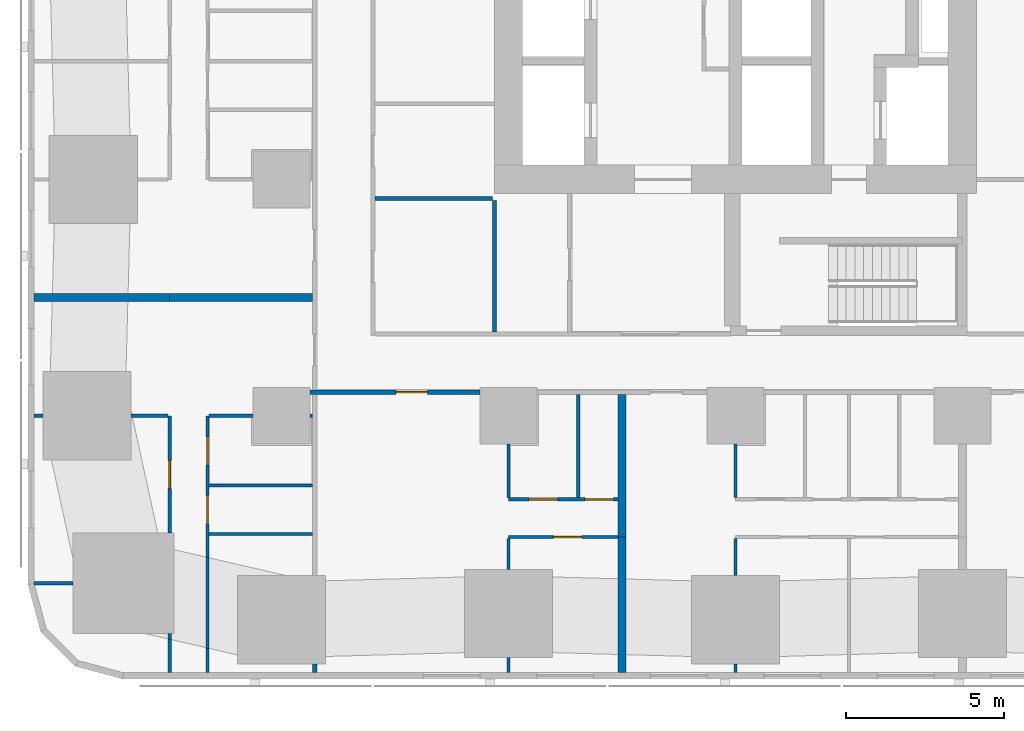
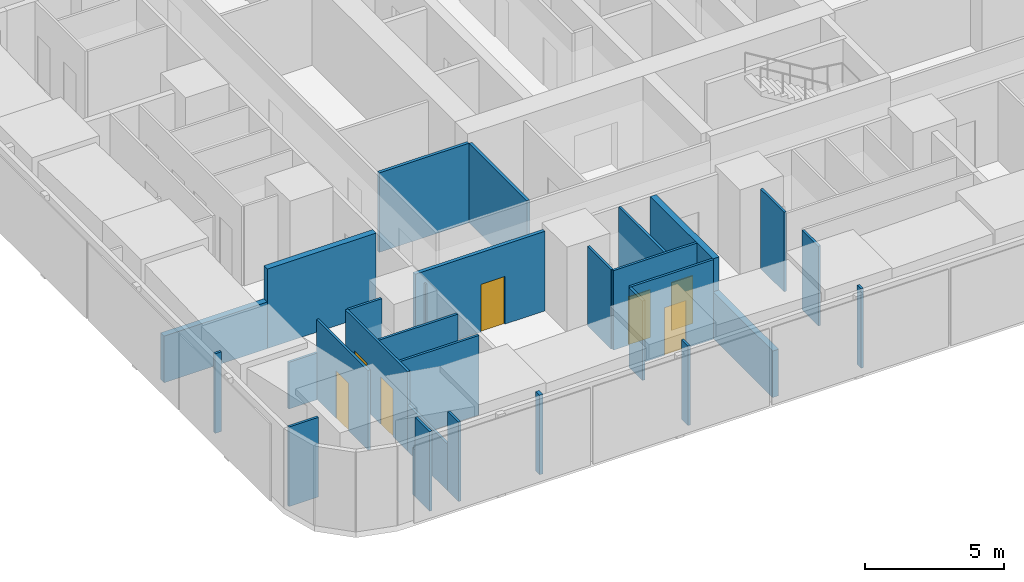
# One storey, part 2 of 16: 30 walls, 7 doors, 7 openings.
"""IFC4 building model written with IfcOpenShell, lengths in metres."""

from ifc_helpers import new_model, si_unit, direction, frame, frame_2d, origin, place, context, subcontext, project, spatial, rectangle, extrude, material, layer, layer_set, type_object, element, fill, save


model = new_model("IFC4")

# Units and contexts
model_context = context("Model", 3, precision=1e-05, world=origin(), true_north=direction((0.0, 1.0)))
body_context = subcontext(model_context, "Body", "Model", "MODEL_VIEW")
ifc_project = project(units=[si_unit("LENGTHUNIT", "METRE"), si_unit("AREAUNIT", "SQUARE_METRE"), si_unit("VOLUMEUNIT", "CUBIC_METRE"), si_unit("PLANEANGLEUNIT", "RADIAN"), si_unit("MASSUNIT", "GRAM", prefix="KILO")], contexts=[model_context])

# Site, building, storey
site_placement = place(None, origin())
site = spatial("IfcSite", under=ifc_project, at=site_placement, CompositionType="ELEMENT")
building_placement = place(site_placement, origin())
building = spatial("IfcBuilding", under=site, at=building_placement, Name="Sheger Commons Tower", CompositionType="ELEMENT")
storey_placement = place(building_placement, frame((0.0, 0.0, 57.5)))
storey = spatial("IfcBuildingStorey", under=building, at=storey_placement, Name="L14", CompositionType="ELEMENT", Elevation=57.5)

# Wall
ifc_material_1 = material(Name="Hollow concrete block masonry, skimmed both sides", Category="masonry")
ifc_layer_1 = layer(ifc_material_1, 0.14990234375)
ifc_layer_set_1 = layer_set([ifc_layer_1], Name="CORRIDOR WALL 150")
wall_type_1 = type_object("IfcWallType", Name="CORRIDOR WALL 150", PredefinedType="SOLIDWALL", material=ifc_layer_set_1)
wall_1_placement = place(storey_placement, frame((8.25, -0.64990234375, 0.0), z_axis=(0.0, 0.0, 1.0), x_axis=(0.0, 1.0, 0.0)))
element("IfcWall", 1, at=wall_1_placement, inside=storey, type_object=wall_type_1, Name="Corridor wall L14", PredefinedType="SOLIDWALL", context=body_context, shape_type="SweptSolid", body=[
    extrude(rectangle(XDim=0.27392578125, YDim=0.14990234375, at=frame_2d((0.136962890625, 0.0))), origin(), (0.0, 0.0, 1.0), 3.5),
])

# Wall, opening, door
wall_2_placement = place(storey_placement, frame((13.4990234375, 8.25, 0.0), z_axis=(0.0, 0.0, 1.0), x_axis=(-1.0, 0.0, 0.0)))
wall_2 = element("IfcWall", 2, at=wall_2_placement, inside=storey, type_object=wall_type_1, Name="Corridor wall L14", PredefinedType="SOLIDWALL", context=body_context, shape_type="SweptSolid", body=[
    extrude(rectangle(XDim=5.39892578125, YDim=0.14990234375, at=frame_2d((2.699462890625, 0.0))), origin(), (0.0, 0.0, 1.0), 3.5),
])
opening_1_placement = place(wall_2_placement, frame((1.674072265625, 0.0, 0.0)))
opening_1 = element("IfcOpeningElement", 3, at=opening_1_placement, cuts=wall_2, Name="Opening D1", PredefinedType="OPENING", context=body_context, shape_type="SweptSolid", body=[
    extrude(rectangle(XDim=1.0, YDim=2.10009765625, at=frame_2d((0.5, 1.050048828125))), frame((0.0, 0.0849609375, 0.0), z_axis=(0.0, -1.0, 0.0), x_axis=(1.0, 0.0, 0.0)), (0.0, 0.0, 1.0), 0.169921875),
])
ifc_material_2 = material(Name="Steel door set, fire rated", Category="steel")
door_type_1 = type_object("IfcDoorType", Name="FLAT ENTRANCE DOOR 1000x2100", OperationType="NOTDEFINED", PredefinedType="DOOR", material=ifc_material_2)
door_1_placement = place(opening_1_placement, origin())
door_1 = element("IfcDoor", 4, at=door_1_placement, inside=storey, type_object=door_type_1, Name="Flat entrance door", OperationType="SINGLE_SWING_RIGHT", OverallHeight=2.10009765625, OverallWidth=1.0, PredefinedType="DOOR", context=body_context, shape_type="SweptSolid", body=[
    extrude(rectangle(XDim=1.0, YDim=2.10009765625, at=frame_2d((0.5, 1.050048828125))), frame((0.0, 0.02490234375, 0.0), z_axis=(0.0, -1.0, 0.0), x_axis=(1.0, 0.0, 0.0)), (0.0, 0.0, 1.0), 0.050048828125),
])
fill(opening_1, door_1)

# Walls
ifc_material_3 = material(Name="Dense concrete block masonry, plastered both sides (separating wall between flats)", Category="masonry")
ifc_layer_2 = layer(ifc_material_3, 0.25)
ifc_layer_set_2 = layer_set([ifc_layer_2], Name="DEMISING WALL 250")
wall_type_2 = type_object("IfcWallType", Name="DEMISING WALL 250", PredefinedType="SOLIDWALL", material=ifc_layer_set_2)
wall_3_placement = place(storey_placement, frame((-0.64990234375, 11.25, 0.0), z_axis=(0.0, 0.0, 1.0), x_axis=(1.0, 0.0, 0.0)))
element("IfcWall", 5, at=wall_3_placement, inside=storey, type_object=wall_type_2, Name="Demising wall L14", PredefinedType="SOLIDWALL", context=body_context, shape_type="SweptSolid", body=[
    extrude(rectangle(XDim=4.2998046875, YDim=0.25, at=frame_2d((2.14990234375, 0.0))), origin(), (0.0, 0.0, 1.0), 2.050048828125),
])
wall_4_placement = place(storey_placement, frame((3.64990234375, 11.25, 0.0), z_axis=(0.0, 0.0, 1.0), x_axis=(1.0, 0.0, 0.0)))
element("IfcWall", 6, at=wall_4_placement, inside=storey, type_object=wall_type_2, Name="Demising wall L14", PredefinedType="SOLIDWALL", context=body_context, shape_type="SweptSolid", body=[
    extrude(rectangle(XDim=4.525146484375, YDim=0.25, at=frame_2d((2.2626953125, 0.0))), origin(), (0.0, 0.0, 1.0), 3.5),
])
wall_5_placement = place(storey_placement, frame((18.0, -0.64990234375, 0.0), z_axis=(0.0, 0.0, 1.0), x_axis=(0.0, 1.0, 0.0)))
element("IfcWall", 7, at=wall_5_placement, inside=storey, type_object=wall_type_2, Name="Demising wall L14", PredefinedType="SOLIDWALL", context=body_context, shape_type="SweptSolid", body=[
    extrude(rectangle(XDim=4.2998046875, YDim=0.25, at=frame_2d((2.14990234375, 0.0))), origin(), (0.0, 0.0, 1.0), 2.050048828125),
])
wall_6_placement = place(storey_placement, frame((18.0, 3.64990234375, 0.0), z_axis=(0.0, 0.0, 1.0), x_axis=(0.0, 1.0, 0.0)))
element("IfcWall", 8, at=wall_6_placement, inside=storey, type_object=wall_type_2, Name="Demising wall L14", PredefinedType="SOLIDWALL", context=body_context, shape_type="SweptSolid", body=[
    extrude(rectangle(XDim=4.525146484375, YDim=0.25, at=frame_2d((2.2626953125, 0.0))), origin(), (0.0, 0.0, 1.0), 3.5),
])
ifc_material_4 = material(Name="Gypsum board on steel studs", Category="steel")
ifc_layer_3 = layer(ifc_material_4, 0.10009765625)
ifc_layer_set_3 = layer_set([ifc_layer_3], Name="PARTITION 100")
wall_type_3 = type_object("IfcWallType", Name="PARTITION 100", PredefinedType="PARTITIONING", material=ifc_layer_set_3)
wall_7_placement = place(storey_placement, frame((3.64990234375, -0.64990234375, 0.0), z_axis=(0.0, 0.0, 1.0), x_axis=(0.0, 1.0, 0.0)))
element("IfcWall", 9, at=wall_7_placement, inside=storey, type_object=wall_type_3, Name="Partition L14", PredefinedType="PARTITIONING", context=body_context, shape_type="SweptSolid", body=[
    extrude(rectangle(XDim=1.0478515625, YDim=0.10009765625, at=frame_2d((0.52392578125, 0.0))), origin(), (0.0, 0.0, 1.0), 3.5),
])
wall_8_placement = place(storey_placement, frame((3.64990234375, 0.39794921875, 0.0), z_axis=(0.0, 0.0, 1.0), x_axis=(0.0, 1.0, 0.0)))
element("IfcWall", 10, at=wall_8_placement, inside=storey, type_object=wall_type_3, Name="Partition L14", PredefinedType="PARTITIONING", context=body_context, shape_type="SweptSolid", body=[
    extrude(rectangle(XDim=0.18701171875, YDim=0.10009765625, at=frame_2d((0.093505859375, 0.0))), origin(), (0.0, 0.0, 1.0), 2.050048828125),
])

# Wall, opening, door
wall_9_placement = place(storey_placement, frame((3.64990234375, 3.787109375, 0.0), z_axis=(0.0, 0.0, 1.0), x_axis=(0.0, 1.0, 0.0)))
wall_9 = element("IfcWall", 11, at=wall_9_placement, inside=storey, type_object=wall_type_3, Name="Partition L14", PredefinedType="PARTITIONING", context=body_context, shape_type="SweptSolid", body=[
    extrude(rectangle(XDim=3.712890625, YDim=0.10009765625, at=frame_2d((1.8564453125, 0.0))), origin(), (0.0, 0.0, 1.0), 3.5),
])
opening_2_placement = place(wall_9_placement, frame((1.39990234375, 0.0, 0.0)))
opening_2 = element("IfcOpeningElement", 12, at=opening_2_placement, cuts=wall_9, Name="Opening D2", PredefinedType="OPENING", context=body_context, shape_type="SweptSolid", body=[
    extrude(rectangle(XDim=0.89990234375, YDim=2.10009765625, at=frame_2d((0.449951171875, 1.050048828125))), frame((0.0, 0.06005859375, 0.0), z_axis=(0.0, -1.0, 0.0), x_axis=(1.0, 0.0, 0.0)), (0.0, 0.0, 1.0), 0.1201171875),
])
ifc_material_5 = material(Name="Timber door set", Category="wood")
door_type_2 = type_object("IfcDoorType", Name="INTERNAL DOOR 900x2100", OperationType="NOTDEFINED", PredefinedType="DOOR", material=ifc_material_5)
door_2_placement = place(opening_2_placement, origin())
door_2 = element("IfcDoor", 13, at=door_2_placement, inside=storey, type_object=door_type_2, Name="Main bedroom door", OperationType="SINGLE_SWING_RIGHT", OverallHeight=2.10009765625, OverallWidth=0.89990234375, PredefinedType="DOOR", context=body_context, shape_type="SweptSolid", body=[
    extrude(rectangle(XDim=0.89990234375, YDim=2.10009765625, at=frame_2d((0.449951171875, 1.050048828125))), frame((0.0, 0.02490234375, 0.0), z_axis=(0.0, -1.0, 0.0), x_axis=(1.0, 0.0, 0.0)), (0.0, 0.0, 1.0), 0.050048828125),
])
fill(opening_2, door_2)

# Walls
wall_10_placement = place(storey_placement, frame((4.85009765625, -0.64990234375, 0.0), z_axis=(0.0, 0.0, 1.0), x_axis=(0.0, 1.0, 0.0)))
element("IfcWall", 14, at=wall_10_placement, inside=storey, type_object=wall_type_3, Name="Partition L14", PredefinedType="PARTITIONING", context=body_context, shape_type="SweptSolid", body=[
    extrude(rectangle(XDim=0.77099609375, YDim=0.10009765625, at=frame_2d((0.385498046875, 0.0))), origin(), (0.0, 0.0, 1.0), 3.5),
])
wall_11_placement = place(storey_placement, frame((4.85009765625, 0.12109375, 0.0), z_axis=(0.0, 0.0, 1.0), x_axis=(0.0, 1.0, 0.0)))
element("IfcWall", 15, at=wall_11_placement, inside=storey, type_object=wall_type_3, Name="Partition L14", PredefinedType="PARTITIONING", context=body_context, shape_type="SweptSolid", body=[
    extrude(rectangle(XDim=2.89697265625, YDim=0.10009765625, at=frame_2d((1.448486328125, 0.0))), origin(), (0.0, 0.0, 1.0), 2.050048828125),
])

# Wall, openings, doors
wall_12_placement = place(storey_placement, frame((4.85009765625, 3.01806640625, 0.0), z_axis=(0.0, 0.0, 1.0), x_axis=(0.0, 1.0, 0.0)))
wall_12 = element("IfcWall", 16, at=wall_12_placement, inside=storey, type_object=wall_type_3, Name="Partition L14", PredefinedType="PARTITIONING", context=body_context, shape_type="SweptSolid", body=[
    extrude(rectangle(XDim=4.48193359375, YDim=0.10009765625, at=frame_2d((2.240966796875, 0.0))), origin(), (0.0, 0.0, 1.0), 3.5),
])
opening_3_placement = place(wall_12_placement, frame((2.927001953125, 0.0, 0.0)))
opening_3 = element("IfcOpeningElement", 17, at=opening_3_placement, cuts=wall_12, Name="Opening D2", PredefinedType="OPENING", context=body_context, shape_type="SweptSolid", body=[
    extrude(rectangle(XDim=0.89990234375, YDim=2.10009765625, at=frame_2d((0.449951171875, 1.050048828125))), frame((0.0, 0.06005859375, 0.0), z_axis=(0.0, -1.0, 0.0), x_axis=(1.0, 0.0, 0.0)), (0.0, 0.0, 1.0), 0.1201171875),
])
opening_4_placement = place(wall_12_placement, frame((1.052001953125, 0.0, 0.0)))
opening_4 = element("IfcOpeningElement", 18, at=opening_4_placement, cuts=wall_12, Name="Opening D2", PredefinedType="OPENING", context=body_context, shape_type="SweptSolid", body=[
    extrude(rectangle(XDim=0.89990234375, YDim=2.10009765625, at=frame_2d((0.449951171875, 1.050048828125))), frame((0.0, 0.06005859375, 0.0), z_axis=(0.0, -1.0, 0.0), x_axis=(1.0, 0.0, 0.0)), (0.0, 0.0, 1.0), 0.1201171875),
])
door_3_placement = place(opening_3_placement, origin())
door_3 = element("IfcDoor", 19, at=door_3_placement, inside=storey, type_object=door_type_2, Name="Bathroom door", OperationType="SINGLE_SWING_LEFT", OverallHeight=2.10009765625, OverallWidth=0.89990234375, PredefinedType="DOOR", context=body_context, shape_type="SweptSolid", body=[
    extrude(rectangle(XDim=0.89990234375, YDim=2.10009765625, at=frame_2d((0.449951171875, 1.050048828125))), frame((0.0, 0.02490234375, 0.0), z_axis=(0.0, -1.0, 0.0), x_axis=(1.0, 0.0, 0.0)), (0.0, 0.0, 1.0), 0.050048828125),
])
fill(opening_3, door_3)
door_4_placement = place(opening_4_placement, origin())
door_4 = element("IfcDoor", 20, at=door_4_placement, inside=storey, type_object=door_type_2, Name="Store door", OperationType="SINGLE_SWING_RIGHT", OverallHeight=2.10009765625, OverallWidth=0.89990234375, PredefinedType="DOOR", context=body_context, shape_type="SweptSolid", body=[
    extrude(rectangle(XDim=0.89990234375, YDim=2.10009765625, at=frame_2d((0.449951171875, 1.050048828125))), frame((0.0, 0.02490234375, 0.0), z_axis=(0.0, -1.0, 0.0), x_axis=(1.0, 0.0, 0.0)), (0.0, 0.0, 1.0), 0.050048828125),
])
fill(opening_4, door_4)

# Walls
wall_13_placement = place(storey_placement, frame((-0.64990234375, 2.18603515625, 0.0), z_axis=(0.0, 0.0, 1.0), x_axis=(1.0, 0.0, 0.0)))
element("IfcWall", 21, at=wall_13_placement, inside=storey, type_object=wall_type_3, Name="Partition L14", PredefinedType="PARTITIONING", context=body_context, shape_type="SweptSolid", body=[
    extrude(rectangle(XDim=1.23486328125, YDim=0.10009765625, at=frame_2d((0.617431640625, 0.0))), origin(), (0.0, 0.0, 1.0), 3.5),
])
wall_14_placement = place(storey_placement, frame((-0.64990234375, 7.5, 0.0), z_axis=(0.0, 0.0, 1.0), x_axis=(1.0, 0.0, 0.0)))
element("IfcWall", 22, at=wall_14_placement, inside=storey, type_object=wall_type_3, Name="Partition L14", PredefinedType="PARTITIONING", context=body_context, shape_type="SweptSolid", body=[
    extrude(rectangle(XDim=0.27392578125, YDim=0.10009765625, at=frame_2d((0.136962890625, 0.0))), origin(), (0.0, 0.0, 1.0), 3.5),
])
wall_15_placement = place(storey_placement, frame((2.426025390625, 7.5, 0.0), z_axis=(0.0, 0.0, 1.0), x_axis=(1.0, 0.0, 0.0)))
element("IfcWall", 23, at=wall_15_placement, inside=storey, type_object=wall_type_3, Name="Partition L14", PredefinedType="PARTITIONING", context=body_context, shape_type="SweptSolid", body=[
    extrude(rectangle(XDim=1.174072265625, YDim=0.10009765625, at=frame_2d((0.5869140625, 0.0))), origin(), (0.0, 0.0, 1.0), 2.050048828125),
])
wall_16_placement = place(storey_placement, frame((4.89990234375, 3.75, 0.0), z_axis=(0.0, 0.0, 1.0), x_axis=(1.0, 0.0, 0.0)))
element("IfcWall", 24, at=wall_16_placement, inside=storey, type_object=wall_type_3, Name="Partition L14", PredefinedType="PARTITIONING", context=body_context, shape_type="SweptSolid", body=[
    extrude(rectangle(XDim=3.275146484375, YDim=0.10009765625, at=frame_2d((1.6376953125, 0.0))), origin(), (0.0, 0.0, 1.0), 3.5),
])
wall_17_placement = place(storey_placement, frame((4.89990234375, 7.5, 0.0), z_axis=(0.0, 0.0, 1.0), x_axis=(1.0, 0.0, 0.0)))
element("IfcWall", 25, at=wall_17_placement, inside=storey, type_object=wall_type_3, Name="Partition L14", PredefinedType="PARTITIONING", context=body_context, shape_type="SweptSolid", body=[
    extrude(rectangle(XDim=1.399169921875, YDim=0.10009765625, at=frame_2d((0.69970703125, 0.0))), origin(), (0.0, 0.0, 1.0), 3.5),
])
wall_18_placement = place(storey_placement, frame((8.10107421875, 7.5, 0.0), z_axis=(0.0, 0.0, 1.0), x_axis=(1.0, 0.0, 0.0)))
element("IfcWall", 26, at=wall_18_placement, inside=storey, type_object=wall_type_3, Name="Partition L14", PredefinedType="PARTITIONING", context=body_context, shape_type="SweptSolid", body=[
    extrude(rectangle(XDim=0.073974609375, YDim=0.10009765625, at=frame_2d((0.037109375, 0.0))), origin(), (0.0, 0.0, 1.0), 3.5),
])
wall_19_placement = place(storey_placement, frame((4.89990234375, 5.2900390625, 0.0), z_axis=(0.0, 0.0, 1.0), x_axis=(1.0, 0.0, 0.0)))
element("IfcWall", 27, at=wall_19_placement, inside=storey, type_object=wall_type_3, Name="Partition L14", PredefinedType="PARTITIONING", context=body_context, shape_type="SweptSolid", body=[
    extrude(rectangle(XDim=3.275146484375, YDim=0.10009765625, at=frame_2d((1.6376953125, 0.0))), origin(), (0.0, 0.0, 1.0), 3.5),
])

# Wall, opening, door
wall_20_placement = place(storey_placement, frame((17.875, 3.64990234375, 0.0), z_axis=(0.0, 0.0, 1.0), x_axis=(-1.0, 0.0, 0.0)))
wall_20 = element("IfcWall", 28, at=wall_20_placement, inside=storey, type_object=wall_type_3, Name="Partition L14", PredefinedType="PARTITIONING", context=body_context, shape_type="SweptSolid", body=[
    extrude(rectangle(XDim=3.47509765625, YDim=0.10009765625, at=frame_2d((1.737548828125, 0.0))), origin(), (0.0, 0.0, 1.0), 3.5),
])
opening_5_placement = place(wall_20_placement, frame((1.14990234375, 0.0, 0.0)))
opening_5 = element("IfcOpeningElement", 29, at=opening_5_placement, cuts=wall_20, Name="Opening D2", PredefinedType="OPENING", context=body_context, shape_type="SweptSolid", body=[
    extrude(rectangle(XDim=0.89990234375, YDim=2.10009765625, at=frame_2d((0.449951171875, 1.050048828125))), frame((0.0, 0.06005859375, 0.0), z_axis=(0.0, -1.0, 0.0), x_axis=(1.0, 0.0, 0.0)), (0.0, 0.0, 1.0), 0.1201171875),
])
door_5_placement = place(opening_5_placement, origin())
door_5 = element("IfcDoor", 30, at=door_5_placement, inside=storey, type_object=door_type_2, Name="Main bedroom door", OperationType="SINGLE_SWING_LEFT", OverallHeight=2.10009765625, OverallWidth=0.89990234375, PredefinedType="DOOR", context=body_context, shape_type="SweptSolid", body=[
    extrude(rectangle(XDim=0.89990234375, YDim=2.10009765625, at=frame_2d((0.449951171875, 1.050048828125))), frame((0.0, 0.02490234375, 0.0), z_axis=(0.0, -1.0, 0.0), x_axis=(1.0, 0.0, 0.0)), (0.0, 0.0, 1.0), 0.050048828125),
])
fill(opening_5, door_5)

# Wall, openings, doors
wall_21_placement = place(storey_placement, frame((17.875, 4.85009765625, 0.0), z_axis=(0.0, 0.0, 1.0), x_axis=(-1.0, 0.0, 0.0)))
wall_21 = element("IfcWall", 31, at=wall_21_placement, inside=storey, type_object=wall_type_3, Name="Partition L14", PredefinedType="PARTITIONING", context=body_context, shape_type="SweptSolid", body=[
    extrude(rectangle(XDim=3.47509765625, YDim=0.10009765625, at=frame_2d((1.737548828125, 0.0))), origin(), (0.0, 0.0, 1.0), 3.5),
])
opening_6_placement = place(wall_21_placement, frame((1.919921875, 0.0, 0.0)))
opening_6 = element("IfcOpeningElement", 32, at=opening_6_placement, cuts=wall_21, Name="Opening D2", PredefinedType="OPENING", context=body_context, shape_type="SweptSolid", body=[
    extrude(rectangle(XDim=0.89990234375, YDim=2.10009765625, at=frame_2d((0.449951171875, 1.050048828125))), frame((0.0, 0.06005859375, 0.0), z_axis=(0.0, -1.0, 0.0), x_axis=(1.0, 0.0, 0.0)), (0.0, 0.0, 1.0), 0.1201171875),
])
opening_7_placement = place(wall_21_placement, frame((0.14990234375, 0.0, 0.0)))
opening_7 = element("IfcOpeningElement", 33, at=opening_7_placement, cuts=wall_21, Name="Opening D2", PredefinedType="OPENING", context=body_context, shape_type="SweptSolid", body=[
    extrude(rectangle(XDim=0.89990234375, YDim=2.10009765625, at=frame_2d((0.449951171875, 1.050048828125))), frame((0.0, 0.06005859375, 0.0), z_axis=(0.0, -1.0, 0.0), x_axis=(1.0, 0.0, 0.0)), (0.0, 0.0, 1.0), 0.1201171875),
])
door_6_placement = place(opening_6_placement, origin())
door_6 = element("IfcDoor", 34, at=door_6_placement, inside=storey, type_object=door_type_2, Name="Bathroom door", OperationType="SINGLE_SWING_LEFT", OverallHeight=2.10009765625, OverallWidth=0.89990234375, PredefinedType="DOOR", context=body_context, shape_type="SweptSolid", body=[
    extrude(rectangle(XDim=0.89990234375, YDim=2.10009765625, at=frame_2d((0.449951171875, 1.050048828125))), frame((0.0, 0.02490234375, 0.0), z_axis=(0.0, -1.0, 0.0), x_axis=(1.0, 0.0, 0.0)), (0.0, 0.0, 1.0), 0.050048828125),
])
fill(opening_6, door_6)
door_7_placement = place(opening_7_placement, origin())
door_7 = element("IfcDoor", 35, at=door_7_placement, inside=storey, type_object=door_type_2, Name="Store door", OperationType="SINGLE_SWING_RIGHT", OverallHeight=2.10009765625, OverallWidth=0.89990234375, PredefinedType="DOOR", context=body_context, shape_type="SweptSolid", body=[
    extrude(rectangle(XDim=0.89990234375, YDim=2.10009765625, at=frame_2d((0.449951171875, 1.050048828125))), frame((0.0, 0.02490234375, 0.0), z_axis=(0.0, -1.0, 0.0), x_axis=(1.0, 0.0, 0.0)), (0.0, 0.0, 1.0), 0.050048828125),
])
fill(opening_7, door_7)

# Walls
wall_22_placement = place(storey_placement, frame((14.39990234375, -0.64990234375, 0.0), z_axis=(0.0, 0.0, 1.0), x_axis=(0.0, 1.0, 0.0)))
element("IfcWall", 36, at=wall_22_placement, inside=storey, type_object=wall_type_3, Name="Partition L14", PredefinedType="PARTITIONING", context=body_context, shape_type="SweptSolid", body=[
    extrude(rectangle(XDim=0.473876953125, YDim=0.10009765625, at=frame_2d((0.23681640625, 0.0))), origin(), (0.0, 0.0, 1.0), 3.5),
])
wall_23_placement = place(storey_placement, frame((14.39990234375, 2.6259765625, 0.0), z_axis=(0.0, 0.0, 1.0), x_axis=(0.0, 1.0, 0.0)))
element("IfcWall", 37, at=wall_23_placement, inside=storey, type_object=wall_type_3, Name="Partition L14", PredefinedType="PARTITIONING", context=body_context, shape_type="SweptSolid", body=[
    extrude(rectangle(XDim=0.97412109375, YDim=0.10009765625, at=frame_2d((0.487060546875, 0.0))), origin(), (0.0, 0.0, 1.0), 3.5),
])
wall_24_placement = place(storey_placement, frame((14.39990234375, 4.89990234375, 0.0), z_axis=(0.0, 0.0, 1.0), x_axis=(0.0, 1.0, 0.0)))
element("IfcWall", 38, at=wall_24_placement, inside=storey, type_object=wall_type_3, Name="Partition L14", PredefinedType="PARTITIONING", context=body_context, shape_type="SweptSolid", body=[
    extrude(rectangle(XDim=1.69921875, YDim=0.10009765625, at=frame_2d((0.849609375, 0.0))), origin(), (0.0, 0.0, 1.0), 3.5),
])
wall_25_placement = place(storey_placement, frame((16.610107421875, 4.89990234375, 0.0), z_axis=(0.0, 0.0, 1.0), x_axis=(0.0, 1.0, 0.0)))
element("IfcWall", 39, at=wall_25_placement, inside=storey, type_object=wall_type_3, Name="Partition L14", PredefinedType="PARTITIONING", context=body_context, shape_type="SweptSolid", body=[
    extrude(rectangle(XDim=3.275146484375, YDim=0.10009765625, at=frame_2d((1.6376953125, 0.0))), origin(), (0.0, 0.0, 1.0), 3.5),
])
wall_26_placement = place(storey_placement, frame((21.60009765625, -0.64990234375, 0.0), z_axis=(0.0, 0.0, 1.0), x_axis=(0.0, 1.0, 0.0)))
element("IfcWall", 40, at=wall_26_placement, inside=storey, type_object=wall_type_3, Name="Partition L14", PredefinedType="PARTITIONING", context=body_context, shape_type="SweptSolid", body=[
    extrude(rectangle(XDim=0.27392578125, YDim=0.10009765625, at=frame_2d((0.136962890625, 0.0))), origin(), (0.0, 0.0, 1.0), 3.5),
])
wall_27_placement = place(storey_placement, frame((21.60009765625, 2.426025390625, 0.0), z_axis=(0.0, 0.0, 1.0), x_axis=(0.0, 1.0, 0.0)))
element("IfcWall", 41, at=wall_27_placement, inside=storey, type_object=wall_type_3, Name="Partition L14", PredefinedType="PARTITIONING", context=body_context, shape_type="SweptSolid", body=[
    extrude(rectangle(XDim=1.174072265625, YDim=0.10009765625, at=frame_2d((0.5869140625, 0.0))), origin(), (0.0, 0.0, 1.0), 3.5),
])
wall_28_placement = place(storey_placement, frame((21.60009765625, 4.89990234375, 0.0), z_axis=(0.0, 0.0, 1.0), x_axis=(0.0, 1.0, 0.0)))
element("IfcWall", 42, at=wall_28_placement, inside=storey, type_object=wall_type_3, Name="Partition L14", PredefinedType="PARTITIONING", context=body_context, shape_type="SweptSolid", body=[
    extrude(rectangle(XDim=1.69921875, YDim=0.10009765625, at=frame_2d((0.849609375, 0.0))), origin(), (0.0, 0.0, 1.0), 3.5),
])
ifc_material_6 = material(Name="Gypsum board on steel studs, two layers each side, fire rated", Category="steel")
ifc_layer_4 = layer(ifc_material_6, 0.125)
ifc_layer_set_4 = layer_set([ifc_layer_4], Name="SERVICE WALL 125")
wall_type_4 = type_object("IfcWallType", Name="SERVICE WALL 125", PredefinedType="PARTITIONING", material=ifc_layer_set_4)
wall_29_placement = place(storey_placement, frame((10.1630859375, 14.39990234375, 0.0), z_axis=(0.0, 0.0, 1.0), x_axis=(1.0, 0.0, 0.0)))
element("IfcWall", 43, at=wall_29_placement, inside=storey, type_object=wall_type_4, Name="Service room wall L14", PredefinedType="PARTITIONING", context=body_context, shape_type="SweptSolid", body=[
    extrude(rectangle(XDim=3.724853515625, YDim=0.125, at=frame_2d((1.8623046875, 0.0))), origin(), (0.0, 0.0, 1.0), 3.5),
])
wall_30_placement = place(storey_placement, frame((13.949951171875, 10.1630859375, 0.0), z_axis=(0.0, 0.0, 1.0), x_axis=(0.0, 1.0, 0.0)))
element("IfcWall", 44, at=wall_30_placement, inside=storey, type_object=wall_type_4, Name="Service room wall L14", PredefinedType="PARTITIONING", context=body_context, shape_type="SweptSolid", body=[
    extrude(rectangle(XDim=4.1748046875, YDim=0.125, at=frame_2d((2.08740234375, 0.0))), origin(), (0.0, 0.0, 1.0), 3.5),
])

save(model, "model.ifc")
